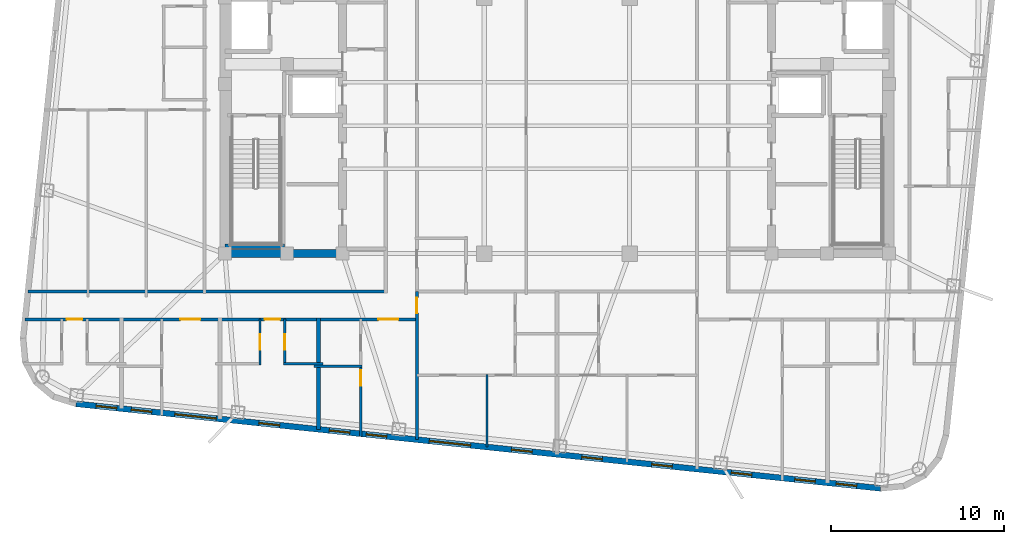
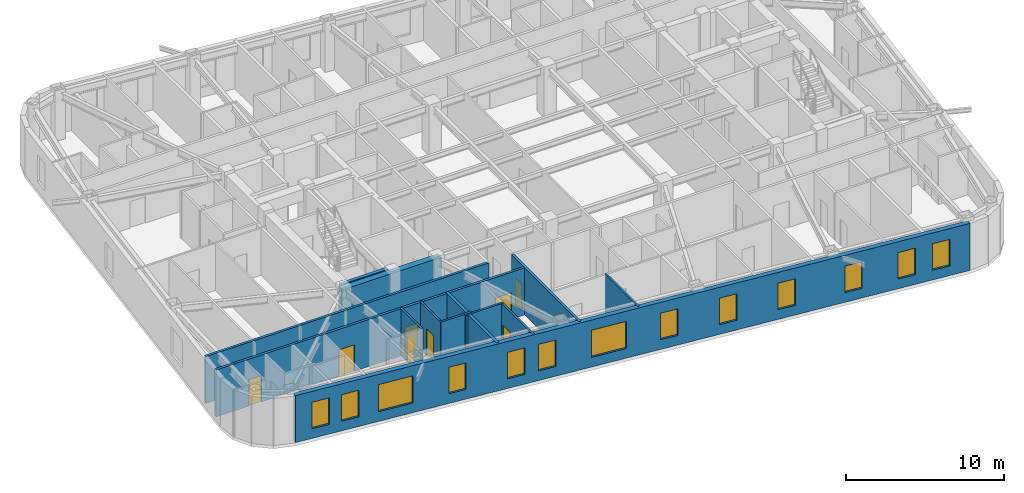
# One storey, part 3 of 11: 13 walls, 13 windows, 8 doors, 21 openings.
"""IFC4 building model written with IfcOpenShell, lengths in metres."""

from ifc_helpers import new_model, si_unit, direction, frame, frame_2d, origin, place, context, subcontext, project, spatial, rectangle, extrude, material, layer, layer_set, type_object, element, fill, save


model = new_model("IFC4")

# Units and contexts
model_context = context("Model", 3, precision=1e-05, world=origin(), true_north=direction((0.0, 1.0)))
body_context = subcontext(model_context, "Body", "Model", "MODEL_VIEW")
ifc_project = project(units=[si_unit("LENGTHUNIT", "METRE"), si_unit("AREAUNIT", "SQUARE_METRE"), si_unit("VOLUMEUNIT", "CUBIC_METRE"), si_unit("PLANEANGLEUNIT", "RADIAN"), si_unit("MASSUNIT", "GRAM", prefix="KILO")], contexts=[model_context])

# Site, building, storey
site_placement = place(None, origin())
site = spatial("IfcSite", under=ifc_project, at=site_placement, CompositionType="ELEMENT")
building_placement = place(site_placement, origin())
building = spatial("IfcBuilding", under=site, at=building_placement, Name="Voryun Gate Residences", CompositionType="ELEMENT")
storey_placement = place(building_placement, frame((0.0, 0.0, 287.300048828125)))
storey = spatial("IfcBuildingStorey", under=building, at=storey_placement, Name="L71", CompositionType="ELEMENT", Elevation=287.300048828125)

# Walls
ifc_material_1 = material(Name="Concrete C50/60", Category="concrete")
ifc_layer_1 = layer(ifc_material_1, 0.449951171875, Name="CW_CORE_450")
ifc_layer_set_1 = layer_set([ifc_layer_1], Name="Concrete C50/60")
wall_type_1 = type_object("IfcWallType", Name="CW_CORE_450", PredefinedType="SHEAR", material=ifc_layer_set_1)
wall_1_placement = place(storey_placement, frame((-19.425048828125, -7.39990234375, 0.0), z_axis=(0.0, 0.0, 1.0), x_axis=(1.0, 0.0, 0.0)))
element("IfcWall", 1, at=wall_1_placement, inside=storey, type_object=wall_type_1, Name="L71 Core shear wall CW-L71-WS", PredefinedType="SHEAR", context=body_context, shape_type="SweptSolid", body=[
    extrude(rectangle(XDim=7.25, YDim=0.449951171875, at=frame_2d((3.625, 0.0))), origin(), (0.0, 0.0, 1.0), 3.635009765625),
])
ifc_material_2 = material(Name="Gypsum acoustic fireboard")
ifc_layer_2 = layer(ifc_material_2, 0.179931640625, Name="W_CORR_RATED_180")
ifc_layer_set_2 = layer_set([ifc_layer_2], Name="Gypsum acoustic fireboard")
wall_type_2 = type_object("IfcWallType", Name="W_CORR_RATED_180", PredefinedType="PARTITIONING", material=ifc_layer_set_2)
wall_2_placement = place(storey_placement, frame((-30.585693359375, -9.590087890625, 0.0), z_axis=(0.0, 0.0, 1.0), x_axis=(1.0, 0.0, 0.0)))
element("IfcWall", 2, at=wall_2_placement, inside=storey, type_object=wall_type_2, Name="Partition wall WP-L71-CWING-WS", PredefinedType="PARTITIONING", context=body_context, shape_type="SweptSolid", body=[
    extrude(rectangle(XDim=20.705810546875, YDim=0.179931640625, at=frame_2d((10.35302734375, 0.0))), origin(), (0.0, 0.0, 1.0), 3.635009765625),
])

# Wall, openings, doors
wall_3_placement = place(storey_placement, frame((-30.7548828125, -11.199951171875, 0.0), z_axis=(0.0, 0.0, 1.0), x_axis=(1.0, 0.0, 0.0)))
wall_3 = element("IfcWall", 3, at=wall_3_placement, inside=storey, type_object=wall_type_2, Name="Partition wall WP-L71-SCORR-W", PredefinedType="PARTITIONING", context=body_context, shape_type="SweptSolid", body=[
    extrude(rectangle(XDim=22.6748046875, YDim=0.179931640625, at=frame_2d((11.33740234375, 0.0))), origin(), (0.0, 0.0, 1.0), 3.635009765625),
])
opening_1_placement = place(wall_3_placement, frame((2.413818359375, 0.0, 0.0)))
opening_1 = element("IfcOpeningElement", 4, at=opening_1_placement, cuts=wall_3, Name="Opening D-INT-2", PredefinedType="OPENING", context=body_context, shape_type="SweptSolid", body=[
    extrude(rectangle(XDim=0.89990234375, YDim=2.050048828125, at=frame_2d((0.449951171875, 1.02490234375))), frame((0.0, 0.099853515625, 0.0), z_axis=(0.0, -1.0, 0.0), x_axis=(1.0, 0.0, 0.0)), (0.0, 0.0, 1.0), 0.199951171875),
])
opening_2_placement = place(wall_3_placement, frame((8.987060546875, 0.0, 0.0)))
opening_2 = element("IfcOpeningElement", 5, at=opening_2_placement, cuts=wall_3, Name="Opening D-UNIT-1", PredefinedType="OPENING", context=body_context, shape_type="SweptSolid", body=[
    extrude(rectangle(XDim=1.14990234375, YDim=2.050048828125, at=frame_2d((0.574951171875, 1.02490234375))), frame((0.0, 0.099853515625, 0.0), z_axis=(0.0, -1.0, 0.0), x_axis=(1.0, 0.0, 0.0)), (0.0, 0.0, 1.0), 0.199951171875),
])
opening_3_placement = place(wall_3_placement, frame((13.853515625, 0.0, 0.0)))
opening_3 = element("IfcOpeningElement", 6, at=opening_3_placement, cuts=wall_3, Name="Opening D-INT-2", PredefinedType="OPENING", context=body_context, shape_type="SweptSolid", body=[
    extrude(rectangle(XDim=0.89990234375, YDim=2.050048828125, at=frame_2d((0.449951171875, 1.02490234375))), frame((0.0, 0.099853515625, 0.0), z_axis=(0.0, -1.0, 0.0), x_axis=(1.0, 0.0, 0.0)), (0.0, 0.0, 1.0), 0.199951171875),
])
opening_4_placement = place(wall_3_placement, frame((20.433349609375, 0.0, 0.0)))
opening_4 = element("IfcOpeningElement", 7, at=opening_4_placement, cuts=wall_3, Name="Opening D-UNIT-1", PredefinedType="OPENING", context=body_context, shape_type="SweptSolid", body=[
    extrude(rectangle(XDim=1.14990234375, YDim=2.050048828125, at=frame_2d((0.574951171875, 1.02490234375))), frame((0.0, 0.099853515625, 0.0), z_axis=(0.0, -1.0, 0.0), x_axis=(1.0, 0.0, 0.0)), (0.0, 0.0, 1.0), 0.199951171875),
])
ifc_material_3 = material(Name="Architectural oak veneer")
door_type_1 = type_object("IfcDoorType", Name="DR_INT_BATH_900", OperationType="NOTDEFINED", PredefinedType="DOOR", material=ifc_material_3)
door_1_placement = place(opening_1_placement, origin())
door_1 = element("IfcDoor", 8, at=door_1_placement, inside=storey, type_object=door_type_1, Name="Door DR-L71-SENT-1", OperationType="SINGLE_SWING_RIGHT", OverallHeight=2.050048828125, OverallWidth=0.89990234375, PredefinedType="DOOR", context=body_context, shape_type="SweptSolid", body=[
    extrude(rectangle(XDim=0.89990234375, YDim=2.050048828125, at=frame_2d((0.449951171875, 1.02490234375))), frame((0.0, 0.02490234375, 0.0), z_axis=(0.0, -1.0, 0.0), x_axis=(1.0, 0.0, 0.0)), (0.0, 0.0, 1.0), 0.050048828125),
])
fill(opening_1, door_1)
door_2_placement = place(opening_3_placement, origin())
door_2 = element("IfcDoor", 9, at=door_2_placement, inside=storey, type_object=door_type_1, Name="Door DR-L71-SENT-3", OperationType="SINGLE_SWING_RIGHT", OverallHeight=2.050048828125, OverallWidth=0.89990234375, PredefinedType="DOOR", context=body_context, shape_type="SweptSolid", body=[
    extrude(rectangle(XDim=0.89990234375, YDim=2.050048828125, at=frame_2d((0.449951171875, 1.02490234375))), frame((0.0, 0.02490234375, 0.0), z_axis=(0.0, -1.0, 0.0), x_axis=(1.0, 0.0, 0.0)), (0.0, 0.0, 1.0), 0.050048828125),
])
fill(opening_3, door_2)
ifc_material_4 = material(Name="Armoured timber-clad fire door", Category="wood")
door_type_2 = type_object("IfcDoorType", Name="DR_UNIT_ENTRY_1150", OperationType="NOTDEFINED", PredefinedType="DOOR", material=ifc_material_4)
door_3_placement = place(opening_2_placement, origin())
door_3 = element("IfcDoor", 10, at=door_3_placement, inside=storey, type_object=door_type_2, Name="Door DR-L71-SENT-2", OperationType="SINGLE_SWING_LEFT", OverallHeight=2.050048828125, OverallWidth=1.14990234375, PredefinedType="DOOR", context=body_context, shape_type="SweptSolid", body=[
    extrude(rectangle(XDim=1.14990234375, YDim=2.050048828125, at=frame_2d((0.574951171875, 1.02490234375))), frame((0.0, 0.02490234375, 0.0), z_axis=(0.0, -1.0, 0.0), x_axis=(1.0, 0.0, 0.0)), (0.0, 0.0, 1.0), 0.050048828125),
])
fill(opening_2, door_3)
door_4_placement = place(opening_4_placement, origin())
door_4 = element("IfcDoor", 11, at=door_4_placement, inside=storey, type_object=door_type_2, Name="Door DR-L71-SENT-4", OperationType="SINGLE_SWING_LEFT", OverallHeight=2.050048828125, OverallWidth=1.14990234375, PredefinedType="DOOR", context=body_context, shape_type="SweptSolid", body=[
    extrude(rectangle(XDim=1.14990234375, YDim=2.050048828125, at=frame_2d((0.574951171875, 1.02490234375))), frame((0.0, 0.02490234375, 0.0), z_axis=(0.0, -1.0, 0.0), x_axis=(1.0, 0.0, 0.0)), (0.0, 0.0, 1.0), 0.050048828125),
])
fill(opening_4, door_4)

# Wall, opening, door
wall_4_placement = place(storey_placement, frame((-8.10009765625, -18.154541015625, 0.0), z_axis=(0.0, 0.0, 1.0), x_axis=(0.0, 1.0, 0.0)))
wall_4 = element("IfcWall", 12, at=wall_4_placement, inside=storey, type_object=wall_type_2, Name="Partition wall WP-L71-SZV-1", PredefinedType="PARTITIONING", context=body_context, shape_type="SweptSolid", body=[
    extrude(rectangle(XDim=8.564453125, YDim=0.179931640625, at=frame_2d((4.2822265625, 0.0))), origin(), (0.0, 0.0, 1.0), 3.635009765625),
])
opening_5_placement = place(wall_4_placement, frame((7.314697265625, 0.0, 0.0)))
opening_5 = element("IfcOpeningElement", 13, at=opening_5_placement, cuts=wall_4, Name="Opening D-INT-2", PredefinedType="OPENING", context=body_context, shape_type="SweptSolid", body=[
    extrude(rectangle(XDim=0.89990234375, YDim=2.050048828125, at=frame_2d((0.449951171875, 1.02490234375))), frame((0.0, 0.099853515625, 0.0), z_axis=(0.0, -1.0, 0.0), x_axis=(1.0, 0.0, 0.0)), (0.0, 0.0, 1.0), 0.199951171875),
])
door_5_placement = place(opening_5_placement, origin())
door_5 = element("IfcDoor", 14, at=door_5_placement, inside=storey, type_object=door_type_1, Name="Door DR-L71-SZENT-1", OperationType="SINGLE_SWING_LEFT", OverallHeight=2.050048828125, OverallWidth=0.89990234375, PredefinedType="DOOR", context=body_context, shape_type="SweptSolid", body=[
    extrude(rectangle(XDim=0.89990234375, YDim=2.050048828125, at=frame_2d((0.449951171875, 1.02490234375))), frame((0.0, 0.02490234375, 0.0), z_axis=(0.0, -1.0, 0.0), x_axis=(1.0, 0.0, 0.0)), (0.0, 0.0, 1.0), 0.050048828125),
])
fill(opening_5, door_5)

# Wall, openings, windows
ifc_material_5 = material(Name="Charcoal terracotta masonry", Category="masonry")
ifc_layer_3 = layer(ifc_material_5, 0.340087890625, Name="W_EXT_TERRACOTTA_340")
ifc_layer_set_3 = layer_set([ifc_layer_3], Name="Charcoal terracotta masonry")
wall_type_3 = type_object("IfcWallType", Name="W_EXT_TERRACOTTA_340", PredefinedType="ELEMENTEDWALL", material=ifc_layer_set_3)
wall_5_placement = place(storey_placement, frame((18.707763671875, -20.97216796875, 0.0), z_axis=(0.0, 0.0, 1.0), x_axis=(-0.994521888554, 0.104528528102, 0.0)))
wall_5 = element("IfcWall", 15, at=wall_5_placement, inside=storey, type_object=wall_type_3, Name="Exterior wall WEXT-L71-01", PredefinedType="ELEMENTEDWALL", context=body_context, shape_type="SweptSolid", body=[
    extrude(rectangle(XDim=46.766357421875, YDim=0.340087890625, at=frame_2d((23.38330078125, 0.0))), origin(), (0.0, 0.0, 1.0), 3.635009765625),
])
opening_6_placement = place(wall_5_placement, frame((23.833251953125, 0.0, 0.75)))
opening_6 = element("IfcOpeningElement", 16, at=opening_6_placement, cuts=wall_5, Name="Opening WN2", PredefinedType="OPENING", context=body_context, shape_type="SweptSolid", body=[
    extrude(rectangle(XDim=2.39990234375, YDim=2.10009765625, at=frame_2d((1.199951171875, 1.050048828125))), frame((0.0, 0.179931640625, 0.0), z_axis=(0.0, -1.0, 0.0), x_axis=(1.0, 0.0, 0.0)), (0.0, 0.0, 1.0), 0.360107421875),
])
opening_7_placement = place(wall_5_placement, frame((38.6220703125, 0.0, 0.75)))
opening_7 = element("IfcOpeningElement", 17, at=opening_7_placement, cuts=wall_5, Name="Opening WN2", PredefinedType="OPENING", context=body_context, shape_type="SweptSolid", body=[
    extrude(rectangle(XDim=2.39990234375, YDim=2.10009765625, at=frame_2d((1.199951171875, 1.050048828125))), frame((0.0, 0.179931640625, 0.0), z_axis=(0.0, -1.0, 0.0), x_axis=(1.0, 0.0, 0.0)), (0.0, 0.0, 1.0), 0.360107421875),
])
opening_8_placement = place(wall_5_placement, frame((44.40185546875, 0.0, 0.75)))
opening_8 = element("IfcOpeningElement", 18, at=opening_8_placement, cuts=wall_5, Name="Opening WN6", PredefinedType="OPENING", context=body_context, shape_type="SweptSolid", body=[
    extrude(rectangle(XDim=1.199951171875, YDim=2.050048828125, at=frame_2d((0.60009765625, 1.02490234375))), frame((0.0, 0.179931640625, 0.0), z_axis=(0.0, -1.0, 0.0), x_axis=(1.0, 0.0, 0.0)), (0.0, 0.0, 1.0), 0.360107421875),
])
opening_9_placement = place(wall_5_placement, frame((42.35791015625, 0.0, 0.75)))
opening_9 = element("IfcOpeningElement", 19, at=opening_9_placement, cuts=wall_5, Name="Opening WN6", PredefinedType="OPENING", context=body_context, shape_type="SweptSolid", body=[
    extrude(rectangle(XDim=1.199951171875, YDim=2.050048828125, at=frame_2d((0.60009765625, 1.02490234375))), frame((0.0, 0.179931640625, 0.0), z_axis=(0.0, -1.0, 0.0), x_axis=(1.0, 0.0, 0.0)), (0.0, 0.0, 1.0), 0.360107421875),
])
opening_10_placement = place(wall_5_placement, frame((34.93310546875, 0.0, 0.75)))
opening_10 = element("IfcOpeningElement", 20, at=opening_10_placement, cuts=wall_5, Name="Opening WN6", PredefinedType="OPENING", context=body_context, shape_type="SweptSolid", body=[
    extrude(rectangle(XDim=1.199951171875, YDim=2.050048828125, at=frame_2d((0.60009765625, 1.02490234375))), frame((0.0, 0.179931640625, 0.0), z_axis=(0.0, -1.0, 0.0), x_axis=(1.0, 0.0, 0.0)), (0.0, 0.0, 1.0), 0.360107421875),
])
opening_11_placement = place(wall_5_placement, frame((28.70361328125, 0.0, 0.75)))
opening_11 = element("IfcOpeningElement", 21, at=opening_11_placement, cuts=wall_5, Name="Opening WN6", PredefinedType="OPENING", context=body_context, shape_type="SweptSolid", body=[
    extrude(rectangle(XDim=1.199951171875, YDim=2.050048828125, at=frame_2d((0.60009765625, 1.02490234375))), frame((0.0, 0.179931640625, 0.0), z_axis=(0.0, -1.0, 0.0), x_axis=(1.0, 0.0, 0.0)), (0.0, 0.0, 1.0), 0.360107421875),
])
opening_12_placement = place(wall_5_placement, frame((30.848876953125, 0.0, 0.75)))
opening_12 = element("IfcOpeningElement", 22, at=opening_12_placement, cuts=wall_5, Name="Opening WN6", PredefinedType="OPENING", context=body_context, shape_type="SweptSolid", body=[
    extrude(rectangle(XDim=1.199951171875, YDim=2.050048828125, at=frame_2d((0.60009765625, 1.02490234375))), frame((0.0, 0.179931640625, 0.0), z_axis=(0.0, -1.0, 0.0), x_axis=(1.0, 0.0, 0.0)), (0.0, 0.0, 1.0), 0.360107421875),
])
opening_13_placement = place(wall_5_placement, frame((7.478515625, 0.0, 0.75)))
opening_13 = element("IfcOpeningElement", 23, at=opening_13_placement, cuts=wall_5, Name="Opening WN6", PredefinedType="OPENING", context=body_context, shape_type="SweptSolid", body=[
    extrude(rectangle(XDim=1.199951171875, YDim=2.050048828125, at=frame_2d((0.60009765625, 1.02490234375))), frame((0.0, 0.179931640625, 0.0), z_axis=(0.0, -1.0, 0.0), x_axis=(1.0, 0.0, 0.0)), (0.0, 0.0, 1.0), 0.360107421875),
])
opening_14_placement = place(wall_5_placement, frame((3.796142578125, 0.0, 0.75)))
opening_14 = element("IfcOpeningElement", 24, at=opening_14_placement, cuts=wall_5, Name="Opening WN6", PredefinedType="OPENING", context=body_context, shape_type="SweptSolid", body=[
    extrude(rectangle(XDim=1.199951171875, YDim=2.050048828125, at=frame_2d((0.60009765625, 1.02490234375))), frame((0.0, 0.179931640625, 0.0), z_axis=(0.0, -1.0, 0.0), x_axis=(1.0, 0.0, 0.0)), (0.0, 0.0, 1.0), 0.360107421875),
])
opening_15_placement = place(wall_5_placement, frame((1.38818359375, 0.0, 0.75)))
opening_15 = element("IfcOpeningElement", 25, at=opening_15_placement, cuts=wall_5, Name="Opening WN6", PredefinedType="OPENING", context=body_context, shape_type="SweptSolid", body=[
    extrude(rectangle(XDim=1.199951171875, YDim=2.050048828125, at=frame_2d((0.60009765625, 1.02490234375))), frame((0.0, 0.179931640625, 0.0), z_axis=(0.0, -1.0, 0.0), x_axis=(1.0, 0.0, 0.0)), (0.0, 0.0, 1.0), 0.360107421875),
])
opening_16_placement = place(wall_5_placement, frame((20.25439453125, 0.0, 0.75)))
opening_16 = element("IfcOpeningElement", 26, at=opening_16_placement, cuts=wall_5, Name="Opening WN6", PredefinedType="OPENING", context=body_context, shape_type="SweptSolid", body=[
    extrude(rectangle(XDim=1.199951171875, YDim=2.050048828125, at=frame_2d((0.60009765625, 1.02490234375))), frame((0.0, 0.179931640625, 0.0), z_axis=(0.0, -1.0, 0.0), x_axis=(1.0, 0.0, 0.0)), (0.0, 0.0, 1.0), 0.360107421875),
])
opening_17_placement = place(wall_5_placement, frame((16.172119140625, 0.0, 0.75)))
opening_17 = element("IfcOpeningElement", 27, at=opening_17_placement, cuts=wall_5, Name="Opening WN6", PredefinedType="OPENING", context=body_context, shape_type="SweptSolid", body=[
    extrude(rectangle(XDim=1.199951171875, YDim=2.050048828125, at=frame_2d((0.60009765625, 1.02490234375))), frame((0.0, 0.179931640625, 0.0), z_axis=(0.0, -1.0, 0.0), x_axis=(1.0, 0.0, 0.0)), (0.0, 0.0, 1.0), 0.360107421875),
])
opening_18_placement = place(wall_5_placement, frame((12.109619140625, 0.0, 0.75)))
opening_18 = element("IfcOpeningElement", 28, at=opening_18_placement, cuts=wall_5, Name="Opening WN6", PredefinedType="OPENING", context=body_context, shape_type="SweptSolid", body=[
    extrude(rectangle(XDim=1.199951171875, YDim=2.050048828125, at=frame_2d((0.60009765625, 1.02490234375))), frame((0.0, 0.179931640625, 0.0), z_axis=(0.0, -1.0, 0.0), x_axis=(1.0, 0.0, 0.0)), (0.0, 0.0, 1.0), 0.360107421875),
])
ifc_material_6 = material(Name="Laminated low-E glass", Category="glass")
window_type_1 = type_object("IfcWindowType", Name="WN_POD_SLOT_1200", PartitioningType="SINGLE_PANEL", PredefinedType="WINDOW", material=ifc_material_6)
window_1_placement = place(opening_8_placement, origin())
window_1 = element("IfcWindow", 29, at=window_1_placement, inside=storey, type_object=window_type_1, Name="Window WN-L71-DWFIX-13", OverallHeight=2.050048828125, OverallWidth=1.199951171875, PartitioningType="SINGLE_PANEL", PredefinedType="WINDOW", context=body_context, shape_type="SweptSolid", body=[
    extrude(rectangle(XDim=1.199951171875, YDim=2.050048828125, at=frame_2d((0.60009765625, 1.02490234375))), frame((0.0, 0.030029296875, 0.0), z_axis=(0.0, -1.0, 0.0), x_axis=(1.0, 0.0, 0.0)), (0.0, 0.0, 1.0), 0.06005859375),
])
fill(opening_8, window_1)
window_2_placement = place(opening_9_placement, origin())
window_2 = element("IfcWindow", 30, at=window_2_placement, inside=storey, type_object=window_type_1, Name="Window WN-L71-DWFIX-14", OverallHeight=2.050048828125, OverallWidth=1.199951171875, PartitioningType="SINGLE_PANEL", PredefinedType="WINDOW", context=body_context, shape_type="SweptSolid", body=[
    extrude(rectangle(XDim=1.199951171875, YDim=2.050048828125, at=frame_2d((0.60009765625, 1.02490234375))), frame((0.0, 0.030029296875, 0.0), z_axis=(0.0, -1.0, 0.0), x_axis=(1.0, 0.0, 0.0)), (0.0, 0.0, 1.0), 0.06005859375),
])
fill(opening_9, window_2)
window_3_placement = place(opening_10_placement, origin())
window_3 = element("IfcWindow", 31, at=window_3_placement, inside=storey, type_object=window_type_1, Name="Window WN-L71-DWFIX-15", OverallHeight=2.050048828125, OverallWidth=1.199951171875, PartitioningType="SINGLE_PANEL", PredefinedType="WINDOW", context=body_context, shape_type="SweptSolid", body=[
    extrude(rectangle(XDim=1.199951171875, YDim=2.050048828125, at=frame_2d((0.60009765625, 1.02490234375))), frame((0.0, 0.030029296875, 0.0), z_axis=(0.0, -1.0, 0.0), x_axis=(1.0, 0.0, 0.0)), (0.0, 0.0, 1.0), 0.06005859375),
])
fill(opening_10, window_3)
window_4_placement = place(opening_11_placement, origin())
window_4 = element("IfcWindow", 32, at=window_4_placement, inside=storey, type_object=window_type_1, Name="Window WN-L71-DWFIX-16", OverallHeight=2.050048828125, OverallWidth=1.199951171875, PartitioningType="SINGLE_PANEL", PredefinedType="WINDOW", context=body_context, shape_type="SweptSolid", body=[
    extrude(rectangle(XDim=1.199951171875, YDim=2.050048828125, at=frame_2d((0.60009765625, 1.02490234375))), frame((0.0, 0.030029296875, 0.0), z_axis=(0.0, -1.0, 0.0), x_axis=(1.0, 0.0, 0.0)), (0.0, 0.0, 1.0), 0.06005859375),
])
fill(opening_11, window_4)
window_5_placement = place(opening_12_placement, origin())
window_5 = element("IfcWindow", 33, at=window_5_placement, inside=storey, type_object=window_type_1, Name="Window WN-L71-DWFIX-17", OverallHeight=2.050048828125, OverallWidth=1.199951171875, PartitioningType="SINGLE_PANEL", PredefinedType="WINDOW", context=body_context, shape_type="SweptSolid", body=[
    extrude(rectangle(XDim=1.199951171875, YDim=2.050048828125, at=frame_2d((0.60009765625, 1.02490234375))), frame((0.0, 0.030029296875, 0.0), z_axis=(0.0, -1.0, 0.0), x_axis=(1.0, 0.0, 0.0)), (0.0, 0.0, 1.0), 0.06005859375),
])
fill(opening_12, window_5)
window_6_placement = place(opening_13_placement, origin())
window_6 = element("IfcWindow", 34, at=window_6_placement, inside=storey, type_object=window_type_1, Name="Window WN-L71-DWFIX-18", OverallHeight=2.050048828125, OverallWidth=1.199951171875, PartitioningType="SINGLE_PANEL", PredefinedType="WINDOW", context=body_context, shape_type="SweptSolid", body=[
    extrude(rectangle(XDim=1.199951171875, YDim=2.050048828125, at=frame_2d((0.60009765625, 1.02490234375))), frame((0.0, 0.030029296875, 0.0), z_axis=(0.0, -1.0, 0.0), x_axis=(1.0, 0.0, 0.0)), (0.0, 0.0, 1.0), 0.06005859375),
])
fill(opening_13, window_6)
window_7_placement = place(opening_14_placement, origin())
window_7 = element("IfcWindow", 35, at=window_7_placement, inside=storey, type_object=window_type_1, Name="Window WN-L71-DWFIX-19", OverallHeight=2.050048828125, OverallWidth=1.199951171875, PartitioningType="SINGLE_PANEL", PredefinedType="WINDOW", context=body_context, shape_type="SweptSolid", body=[
    extrude(rectangle(XDim=1.199951171875, YDim=2.050048828125, at=frame_2d((0.60009765625, 1.02490234375))), frame((0.0, 0.030029296875, 0.0), z_axis=(0.0, -1.0, 0.0), x_axis=(1.0, 0.0, 0.0)), (0.0, 0.0, 1.0), 0.06005859375),
])
fill(opening_14, window_7)
window_8_placement = place(opening_15_placement, origin())
window_8 = element("IfcWindow", 36, at=window_8_placement, inside=storey, type_object=window_type_1, Name="Window WN-L71-DWFIX-20", OverallHeight=2.050048828125, OverallWidth=1.199951171875, PartitioningType="SINGLE_PANEL", PredefinedType="WINDOW", context=body_context, shape_type="SweptSolid", body=[
    extrude(rectangle(XDim=1.199951171875, YDim=2.050048828125, at=frame_2d((0.60009765625, 1.02490234375))), frame((0.0, 0.030029296875, 0.0), z_axis=(0.0, -1.0, 0.0), x_axis=(1.0, 0.0, 0.0)), (0.0, 0.0, 1.0), 0.06005859375),
])
fill(opening_15, window_8)
window_9_placement = place(opening_16_placement, origin())
window_9 = element("IfcWindow", 37, at=window_9_placement, inside=storey, type_object=window_type_1, Name="Window WN-L71-DWFIX-21", OverallHeight=2.050048828125, OverallWidth=1.199951171875, PartitioningType="SINGLE_PANEL", PredefinedType="WINDOW", context=body_context, shape_type="SweptSolid", body=[
    extrude(rectangle(XDim=1.199951171875, YDim=2.050048828125, at=frame_2d((0.60009765625, 1.02490234375))), frame((0.0, 0.030029296875, 0.0), z_axis=(0.0, -1.0, 0.0), x_axis=(1.0, 0.0, 0.0)), (0.0, 0.0, 1.0), 0.06005859375),
])
fill(opening_16, window_9)
window_10_placement = place(opening_17_placement, origin())
window_10 = element("IfcWindow", 38, at=window_10_placement, inside=storey, type_object=window_type_1, Name="Window WN-L71-DWFIX-22", OverallHeight=2.050048828125, OverallWidth=1.199951171875, PartitioningType="SINGLE_PANEL", PredefinedType="WINDOW", context=body_context, shape_type="SweptSolid", body=[
    extrude(rectangle(XDim=1.199951171875, YDim=2.050048828125, at=frame_2d((0.60009765625, 1.02490234375))), frame((0.0, 0.030029296875, 0.0), z_axis=(0.0, -1.0, 0.0), x_axis=(1.0, 0.0, 0.0)), (0.0, 0.0, 1.0), 0.06005859375),
])
fill(opening_17, window_10)
window_11_placement = place(opening_18_placement, origin())
window_11 = element("IfcWindow", 39, at=window_11_placement, inside=storey, type_object=window_type_1, Name="Window WN-L71-DWFIX-23", OverallHeight=2.050048828125, OverallWidth=1.199951171875, PartitioningType="SINGLE_PANEL", PredefinedType="WINDOW", context=body_context, shape_type="SweptSolid", body=[
    extrude(rectangle(XDim=1.199951171875, YDim=2.050048828125, at=frame_2d((0.60009765625, 1.02490234375))), frame((0.0, 0.030029296875, 0.0), z_axis=(0.0, -1.0, 0.0), x_axis=(1.0, 0.0, 0.0)), (0.0, 0.0, 1.0), 0.06005859375),
])
fill(opening_18, window_11)
ifc_material_7 = material(Name="Laminated low-E glass", Category="glass")
window_type_2 = type_object("IfcWindowType", Name="WN_RES_WIDE_2400", PartitioningType="SINGLE_PANEL", PredefinedType="WINDOW", material=ifc_material_7)
window_12_placement = place(opening_6_placement, origin())
window_12 = element("IfcWindow", 40, at=window_12_placement, inside=storey, type_object=window_type_2, Name="Window WN-WEXT-L71-01-02", OverallHeight=2.10009765625, OverallWidth=2.39990234375, PartitioningType="SINGLE_PANEL", PredefinedType="WINDOW", context=body_context, shape_type="SweptSolid", body=[
    extrude(rectangle(XDim=2.39990234375, YDim=2.10009765625, at=frame_2d((1.199951171875, 1.050048828125))), frame((0.0, 0.030029296875, 0.0), z_axis=(0.0, -1.0, 0.0), x_axis=(1.0, 0.0, 0.0)), (0.0, 0.0, 1.0), 0.06005859375),
])
fill(opening_6, window_12)
window_13_placement = place(opening_7_placement, origin())
window_13 = element("IfcWindow", 41, at=window_13_placement, inside=storey, type_object=window_type_2, Name="Window WN-WEXT-L71-01-03", OverallHeight=2.10009765625, OverallWidth=2.39990234375, PartitioningType="SINGLE_PANEL", PredefinedType="WINDOW", context=body_context, shape_type="SweptSolid", body=[
    extrude(rectangle(XDim=2.39990234375, YDim=2.10009765625, at=frame_2d((1.199951171875, 1.050048828125))), frame((0.0, 0.030029296875, 0.0), z_axis=(0.0, -1.0, 0.0), x_axis=(1.0, 0.0, 0.0)), (0.0, 0.0, 1.0), 0.06005859375),
])
fill(opening_7, window_13)

# Walls
ifc_material_8 = material(Name="Concrete C40/50", Category="concrete")
ifc_layer_4 = layer(ifc_material_8, 0.219970703125, Name="W_PARTY_ACOUSTIC_220")
ifc_layer_set_4 = layer_set([ifc_layer_4], Name="Concrete C40/50")
wall_type_4 = type_object("IfcWallType", Name="W_PARTY_ACOUSTIC_220", PredefinedType="PARTITIONING", material=ifc_layer_set_4)
wall_6_placement = place(storey_placement, frame((-13.779052734375, -17.5576171875, 0.0), z_axis=(0.0, 0.0, 1.0), x_axis=(0.0, 1.0, 0.0)))
element("IfcWall", 42, at=wall_6_placement, inside=storey, type_object=wall_type_4, Name="Partition wall WP-L71-SPTY-3", PredefinedType="PARTITIONING", context=body_context, shape_type="SweptSolid", body=[
    extrude(rectangle(XDim=6.4375, YDim=0.219970703125, at=frame_2d((3.21875, 0.0))), origin(), (0.0, 0.0, 1.0), 3.635009765625),
])
ifc_material_9 = material(Name="Concrete C50/60", Category="concrete")
ifc_layer_5 = layer(ifc_material_9, 0.25, Name="W_SHAFT_RC250")
ifc_layer_set_5 = layer_set([ifc_layer_5], Name="Concrete C50/60")
wall_type_5 = type_object("IfcWallType", Name="W_SHAFT_RC250", PredefinedType="SOLIDWALL", material=ifc_layer_set_5)
wall_7_placement = place(storey_placement, frame((-19.199951171875, -6.965087890625, 0.0), z_axis=(0.0, 0.0, 1.0), x_axis=(1.0, 0.0, 0.0)))
element("IfcWall", 43, at=wall_7_placement, inside=storey, type_object=wall_type_5, Name="L71 Stair shaft structural wall W-STS", PredefinedType="SOLIDWALL", context=body_context, shape_type="SweptSolid", body=[
    extrude(rectangle(XDim=3.4599609375, YDim=0.25, at=frame_2d((1.72998046875, 0.0))), origin(), (0.0, 0.0, 1.0), 3.635009765625),
])

# Wall, opening, door
ifc_material_10 = material(Name="Gypsum acoustic partition")
ifc_layer_6 = layer(ifc_material_10, 0.125, Name="W_UNIT_PART_125")
ifc_layer_set_6 = layer_set([ifc_layer_6], Name="Gypsum acoustic partition")
wall_type_6 = type_object("IfcWallType", Name="W_UNIT_PART_125", PredefinedType="PARTITIONING", material=ifc_layer_set_6)
wall_8_placement = place(storey_placement, frame((-17.16796875, -13.830078125, 0.0), z_axis=(0.0, 0.0, 1.0), x_axis=(0.0, 1.0, 0.0)))
wall_8 = element("IfcWall", 44, at=wall_8_placement, inside=storey, type_object=wall_type_6, Name="Partition wall WP-L71-S3-CVK", PredefinedType="PARTITIONING", context=body_context, shape_type="SweptSolid", body=[
    extrude(rectangle(XDim=2.650146484375, YDim=0.125, at=frame_2d((1.3251953125, 0.0))), origin(), (0.0, 0.0, 1.0), 3.635009765625),
])
opening_19_placement = place(wall_8_placement, frame((0.875, 0.0, 0.0)))
opening_19 = element("IfcOpeningElement", 45, at=opening_19_placement, cuts=wall_8, Name="Opening D-INT-2", PredefinedType="OPENING", context=body_context, shape_type="SweptSolid", body=[
    extrude(rectangle(XDim=0.89990234375, YDim=2.050048828125, at=frame_2d((0.449951171875, 1.02490234375))), frame((0.0, 0.072509765625, 0.0), z_axis=(0.0, -1.0, 0.0), x_axis=(1.0, 0.0, 0.0)), (0.0, 0.0, 1.0), 0.14501953125),
])
door_6_placement = place(opening_19_placement, origin())
door_6 = element("IfcDoor", 46, at=door_6_placement, inside=storey, type_object=door_type_1, Name="Door DR-L71-S3-DK", OperationType="SINGLE_SWING_LEFT", OverallHeight=2.050048828125, OverallWidth=0.89990234375, PredefinedType="DOOR", context=body_context, shape_type="SweptSolid", body=[
    extrude(rectangle(XDim=0.89990234375, YDim=2.050048828125, at=frame_2d((0.449951171875, 1.02490234375))), frame((0.0, 0.02490234375, 0.0), z_axis=(0.0, -1.0, 0.0), x_axis=(1.0, 0.0, 0.0)), (0.0, 0.0, 1.0), 0.050048828125),
])
fill(opening_19, door_6)

# Wall
wall_9_placement = place(storey_placement, frame((-4.050048828125, -18.580078125, 0.0), z_axis=(0.0, 0.0, 1.0), x_axis=(0.0, 1.0, 0.0)))
element("IfcWall", 47, at=wall_9_placement, inside=storey, type_object=wall_type_6, Name="Partition wall WP-L71-SC1-VBD", PredefinedType="PARTITIONING", context=body_context, shape_type="SweptSolid", body=[
    extrude(rectangle(XDim=4.190185546875, YDim=0.125, at=frame_2d((2.09521484375, 0.0))), origin(), (0.0, 0.0, 1.0), 3.635009765625),
])

# Wall, opening, door
ifc_material_11 = material(Name="Gypsum moisture-resistant partition")
ifc_layer_7 = layer(ifc_material_11, 0.14990234375, Name="W_WET_PLUMB_150")
ifc_layer_set_7 = layer_set([ifc_layer_7], Name="Gypsum moisture-resistant partition")
wall_type_7 = type_object("IfcWallType", Name="W_WET_PLUMB_150", PredefinedType="PLUMBINGWALL", material=ifc_layer_set_7)
wall_10_placement = place(storey_placement, frame((-15.736083984375, -13.830078125, 0.0), z_axis=(0.0, 0.0, 1.0), x_axis=(0.0, 1.0, 0.0)))
wall_10 = element("IfcWall", 48, at=wall_10_placement, inside=storey, type_object=wall_type_7, Name="Partition wall WP-L71-S3-CVB", PredefinedType="PLUMBINGWALL", context=body_context, shape_type="SweptSolid", body=[
    extrude(rectangle(XDim=2.650146484375, YDim=0.14990234375, at=frame_2d((1.3251953125, 0.0))), origin(), (0.0, 0.0, 1.0), 3.635009765625),
])
opening_20_placement = place(wall_10_placement, frame((0.875, 0.0, 0.0)))
opening_20 = element("IfcOpeningElement", 49, at=opening_20_placement, cuts=wall_10, Name="Opening D-INT-2", PredefinedType="OPENING", context=body_context, shape_type="SweptSolid", body=[
    extrude(rectangle(XDim=0.89990234375, YDim=2.050048828125, at=frame_2d((0.449951171875, 1.02490234375))), frame((0.0, 0.0849609375, 0.0), z_axis=(0.0, -1.0, 0.0), x_axis=(1.0, 0.0, 0.0)), (0.0, 0.0, 1.0), 0.169921875),
])
door_7_placement = place(opening_20_placement, origin())
door_7 = element("IfcDoor", 50, at=door_7_placement, inside=storey, type_object=door_type_1, Name="Door DR-L71-S3-DB", OperationType="SINGLE_SWING_RIGHT", OverallHeight=2.050048828125, OverallWidth=0.89990234375, PredefinedType="DOOR", context=body_context, shape_type="SweptSolid", body=[
    extrude(rectangle(XDim=0.89990234375, YDim=2.050048828125, at=frame_2d((0.449951171875, 1.02490234375))), frame((0.0, 0.02490234375, 0.0), z_axis=(0.0, -1.0, 0.0), x_axis=(1.0, 0.0, 0.0)), (0.0, 0.0, 1.0), 0.050048828125),
])
fill(opening_20, door_7)

# Walls
wall_11_placement = place(storey_placement, frame((-15.7958984375, -13.77001953125, 0.0), z_axis=(0.0, 0.0, 1.0), x_axis=(1.0, 0.0, 0.0)))
element("IfcWall", 51, at=wall_11_placement, inside=storey, type_object=wall_type_7, Name="Partition wall WP-L71-S3-CHB", PredefinedType="PLUMBINGWALL", context=body_context, shape_type="SweptSolid", body=[
    extrude(rectangle(XDim=2.27685546875, YDim=0.14990234375, at=frame_2d((1.138427734375, 0.0))), origin(), (0.0, 0.0, 1.0), 3.635009765625),
])
wall_12_placement = place(storey_placement, frame((-14.0390625, -13.89990234375, 0.0), z_axis=(0.0, 0.0, 1.0), x_axis=(1.0, 0.0, 0.0)))
element("IfcWall", 52, at=wall_12_placement, inside=storey, type_object=wall_type_7, Name="Partition wall WP-L71-S4-SKB", PredefinedType="PLUMBINGWALL", context=body_context, shape_type="SweptSolid", body=[
    extrude(rectangle(XDim=2.76513671875, YDim=0.14990234375, at=frame_2d((1.382568359375, 0.0))), origin(), (0.0, 0.0, 1.0), 3.635009765625),
])

# Wall, opening, door
wall_13_placement = place(storey_placement, frame((-11.35400390625, -17.96337890625, 0.0), z_axis=(0.0, 0.0, 1.0), x_axis=(0.0, 1.0, 0.0)))
wall_13 = element("IfcWall", 53, at=wall_13_placement, inside=storey, type_object=wall_type_7, Name="Partition wall WP-L71-S4-SVT1", PredefinedType="PLUMBINGWALL", context=body_context, shape_type="SweptSolid", body=[
    extrude(rectangle(XDim=4.103271484375, YDim=0.14990234375, at=frame_2d((2.0517578125, 0.0))), origin(), (0.0, 0.0, 1.0), 3.635009765625),
])
opening_21_placement = place(wall_13_placement, frame((2.914794921875, 0.0, 0.0)))
opening_21 = element("IfcOpeningElement", 54, at=opening_21_placement, cuts=wall_13, Name="Opening D-INT-2", PredefinedType="OPENING", context=body_context, shape_type="SweptSolid", body=[
    extrude(rectangle(XDim=0.89990234375, YDim=2.050048828125, at=frame_2d((0.449951171875, 1.02490234375))), frame((0.0, 0.0849609375, 0.0), z_axis=(0.0, -1.0, 0.0), x_axis=(1.0, 0.0, 0.0)), (0.0, 0.0, 1.0), 0.169921875),
])
door_8_placement = place(opening_21_placement, origin())
door_8 = element("IfcDoor", 55, at=door_8_placement, inside=storey, type_object=door_type_1, Name="Door DR-L71-S4-DK", OperationType="SINGLE_SWING_LEFT", OverallHeight=2.050048828125, OverallWidth=0.89990234375, PredefinedType="DOOR", context=body_context, shape_type="SweptSolid", body=[
    extrude(rectangle(XDim=0.89990234375, YDim=2.050048828125, at=frame_2d((0.449951171875, 1.02490234375))), frame((0.0, 0.02490234375, 0.0), z_axis=(0.0, -1.0, 0.0), x_axis=(1.0, 0.0, 0.0)), (0.0, 0.0, 1.0), 0.050048828125),
])
fill(opening_21, door_8)

save(model, "model.ifc")
